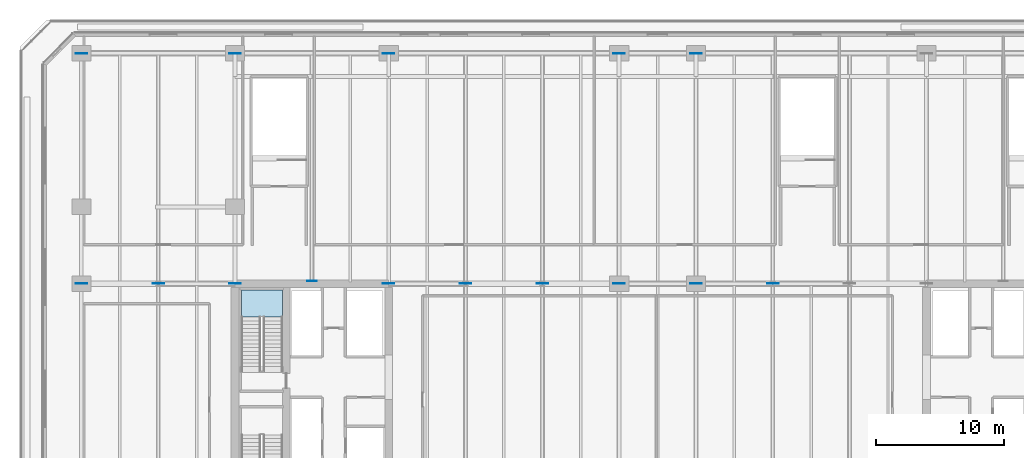
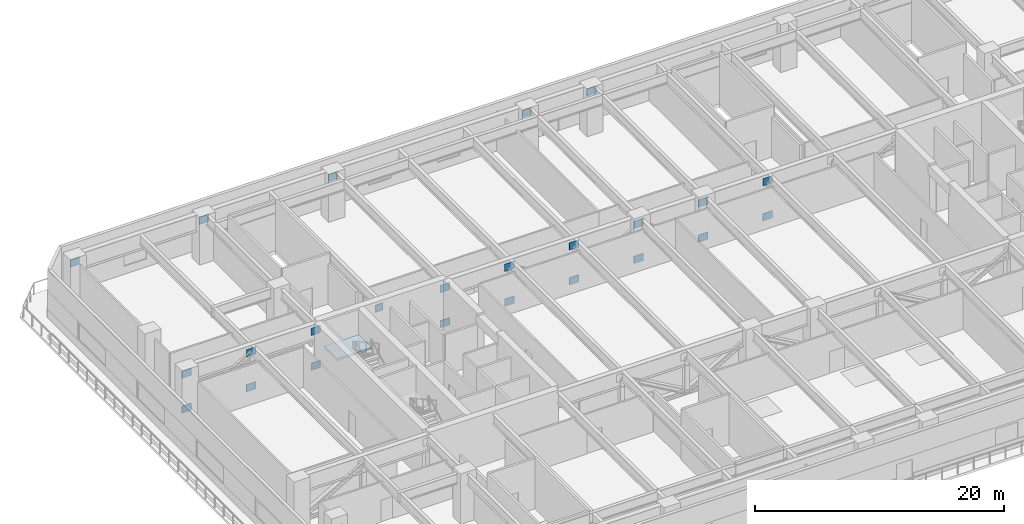
# One storey, part 7 of 25: 24 plates, 1 slab, 1 element without a shape of its own.
"""IFC4 building model written with IfcOpenShell, lengths in metres."""

from ifc_helpers import new_model, si_unit, direction, frame, origin, origin_2d, place, context, subcontext, project, spatial, polyline, rectangle, outline, extrude, material, layer, layer_set, type_object, element, aggregate, save


model = new_model("IFC4")

# Units and contexts
model_context = context("Model", 3, precision=1e-05, world=origin(), true_north=direction((0.0, 1.0)))
body_context = subcontext(model_context, "Body", "Model", "MODEL_VIEW")
ifc_project = project(units=[si_unit("LENGTHUNIT", "METRE"), si_unit("AREAUNIT", "SQUARE_METRE"), si_unit("VOLUMEUNIT", "CUBIC_METRE"), si_unit("PLANEANGLEUNIT", "RADIAN"), si_unit("MASSUNIT", "GRAM", prefix="KILO")], contexts=[model_context])

# Site, building, storey
site_placement = place(None, origin())
site = spatial("IfcSite", under=ifc_project, at=site_placement, CompositionType="ELEMENT")
building_placement = place(site_placement, origin())
building = spatial("IfcBuilding", under=site, at=building_placement, Name="Tanjung Sevakor Pilgrim Tower", CompositionType="ELEMENT")
storey_placement = place(building_placement, frame((0.0, 0.0, 24.090087890625)))
storey = spatial("IfcBuildingStorey", under=building, at=storey_placement, Name="L06", CompositionType="ELEMENT", Elevation=24.090087890625)

# Plates
ifc_material_1 = material(Name="Steel S460M", Category="steel")
ifc_layer_1 = layer(ifc_material_1, 0.0400390625)
ifc_layer_set_1 = layer_set([ifc_layer_1], Name="PL-GUSSET-40")
plate_type = type_object("IfcPlateType", Name="PL-GUSSET-40", PredefinedType="USERDEFINED", material=ifc_layer_set_1)
for number, where, z_axis, x_axis, name in (
    (1, (12.0, 42.60009765625, 3.52490234375), (0.0, 0.0, 1.0), (1.0, 0.0, 0.0), "L06 Core Wall Cast-In Embed Plate 037"),
    (2, (24.0, 42.60009765625, 3.52490234375), (0.0, 0.0, 1.0), (1.0, 0.0, 0.0), "L06 Core Wall Cast-In Embed Plate 038"),
    (3, (12.0, 42.60009765625, 0.08984375), (0.0, 0.0, 1.0), (1.0, 0.0, 0.0), "L06 Core Wall Cast-In Embed Plate 039"),
    (4, (24.0, 42.60009765625, 0.08984375), (0.0, 0.0, 1.0), (1.0, 0.0, 0.0), "L06 Core Wall Cast-In Embed Plate 040"),
    (5, (36.0, 42.60009765625, 3.52490234375), (0.0, 0.0, 1.0), (1.0, 0.0, 0.0), "L06 Core Wall Cast-In Embed Plate 041"),
    (6, (54.0, 42.60009765625, 3.52490234375), (0.0, 0.0, 1.0), (1.0, 0.0, 0.0), "L06 Core Wall Cast-In Embed Plate 042"),
    (7, (36.0, 42.60009765625, 0.08984375), (0.0, 0.0, 1.0), (1.0, 0.0, 0.0), "L06 Core Wall Cast-In Embed Plate 043"),
    (8, (54.0, 42.60009765625, 0.08984375), (0.0, 0.0, 1.0), (1.0, 0.0, 0.0), "L06 Core Wall Cast-In Embed Plate 044"),
    (9, (60.0, 42.60009765625, 3.52490234375), (0.0, 0.0, 1.0), (1.0, 0.0, 0.0), "L06 Core Wall Cast-In Embed Plate 045"),
    (10, (60.0, 42.60009765625, 0.08984375), (0.0, 0.0, 1.0), (1.0, 0.0, 0.0), "L06 Core Wall Cast-In Embed Plate 046"),
    (11, (18.0, 42.60009765625, 0.08984375), (0.0, 0.0, 1.0), (1.0, 0.0, 0.0), "L06 Transfer Gusset Plate 053"),
    (12, (18.0, 42.60009765625, 3.52490234375), (0.0, 0.0, 1.0), (1.0, 0.0, 0.0), "L06 Transfer Gusset Plate 054"),
    (13, (42.0, 42.60009765625, 0.08984375), (0.0, 0.0, 1.0), (1.0, 0.0, 0.0), "L06 Transfer Gusset Plate 055"),
    (14, (42.0, 42.60009765625, 3.52490234375), (0.0, 0.0, 1.0), (1.0, 0.0, 0.0), "L06 Transfer Gusset Plate 056"),
    (15, (48.0, 42.60009765625, 0.08984375), (0.0, 0.0, 1.0), (1.0, 0.0, 0.0), "L06 Transfer Gusset Plate 057"),
    (16, (48.0, 42.60009765625, 3.52490234375), (0.0, 0.0, 1.0), (1.0, 0.0, 0.0), "L06 Transfer Gusset Plate 058"),
    (17, (66.0, 42.60009765625, 0.08984375), (0.0, 0.0, 1.0), (1.0, 0.0, 0.0), "L06 Transfer Gusset Plate 059"),
    (18, (66.0, 42.60009765625, 3.52490234375), (0.0, 0.0, 1.0), (1.0, 0.0, 0.0), "L06 Transfer Gusset Plate 060"),
    (19, (12.0, 60.60009765625, 3.52490234375), (0.0, 0.0, 1.0), (1.0, 0.0, 0.0), "L06 Core Wall Cast-In Embed Plate 065"),
    (20, (24.0, 60.60009765625, 3.52490234375), (0.0, 0.0, 1.0), (1.0, 0.0, 0.0), "L06 Core Wall Cast-In Embed Plate 066"),
    (21, (36.0, 60.60009765625, 3.52490234375), (0.0, 0.0, 1.0), (1.0, 0.0, 0.0), "L06 Core Wall Cast-In Embed Plate 067"),
    (22, (54.0, 60.60009765625, 3.52490234375), (0.0, 0.0, 1.0), (1.0, 0.0, 0.0), "L06 Core Wall Cast-In Embed Plate 068"),
    (23, (60.0, 60.60009765625, 3.52490234375), (0.0, 0.0, 1.0), (1.0, 0.0, 0.0), "L06 Core Wall Cast-In Embed Plate 069"),
):
    element("IfcPlate", number, at=place(storey_placement, frame(where, z_axis=z_axis, x_axis=x_axis)), inside=storey, type_object=plate_type, Name=name, ObjectType="GUSSET PLATE", PredefinedType="USERDEFINED", context=body_context, shape_type="SweptSolid", body=[
        extrude(rectangle(XDim=0.89990234375, YDim=0.0400390625, at=origin_2d()), origin(), (0.0, 0.0, 1.0), 0.719970703125),
    ])
plate_placement = place(storey_placement, frame((30.0, 42.824951171875, 3.52490234375), z_axis=(0.0, 0.0, 1.0), x_axis=(1.0, 0.0, 0.0)))
element("IfcPlate", 24, at=plate_placement, inside=storey, type_object=plate_type, Name="L06 Core Wall Cast-In Embed Plate 074", ObjectType="GUSSET PLATE", PredefinedType="USERDEFINED", context=body_context, shape_type="SweptSolid", body=[
    extrude(rectangle(XDim=0.719970703125, YDim=0.0400390625, at=origin_2d()), origin(), (0.0, 0.0, 1.0), 0.719970703125),
])

# Stair, slab
ifc_material_2 = material(Name="Concrete C40/50", Category="concrete")
stair_type = type_object("IfcStairType", Name="STAIR-ST-CR150", PredefinedType="HALF_TURN_STAIR", material=ifc_material_2)
stair_placement = place(storey_placement, origin())
stair = element("IfcStair", 25, at=stair_placement, inside=storey, type_object=stair_type, Name="L06 West Core Exit Stair 2", PredefinedType="HALF_TURN_STAIR")
ifc_material_3 = material(Name="Concrete C40/50", Category="concrete")
ifc_layer_2 = layer(ifc_material_3, 0.199951171875)
ifc_layer_set_2 = layer_set([ifc_layer_2], Name="SL-LAND-200")
slab_type = type_object("IfcSlabType", Name="SL-LAND-200", PredefinedType="LANDING", material=ifc_layer_set_2)
slab_placement = place(storey_placement, frame((0.0, 0.0, 2.27490234375)))
slab = element("IfcSlab", 26, at=slab_placement, type_object=slab_type, Name="TS-W2 landing 1", PredefinedType="LANDING", context=body_context, shape_type="SweptSolid", body=[
    extrude(outline(polyline([(27.699951171875, 40.0), (27.699951171875, 42.10009765625), (24.5, 42.10009765625), (24.5, 40.0), (27.699951171875, 40.0)])), origin(), (0.0, 0.0, 1.0), 0.199951171875),
])
aggregate(stair, [slab])

save(model, "model.ifc")
